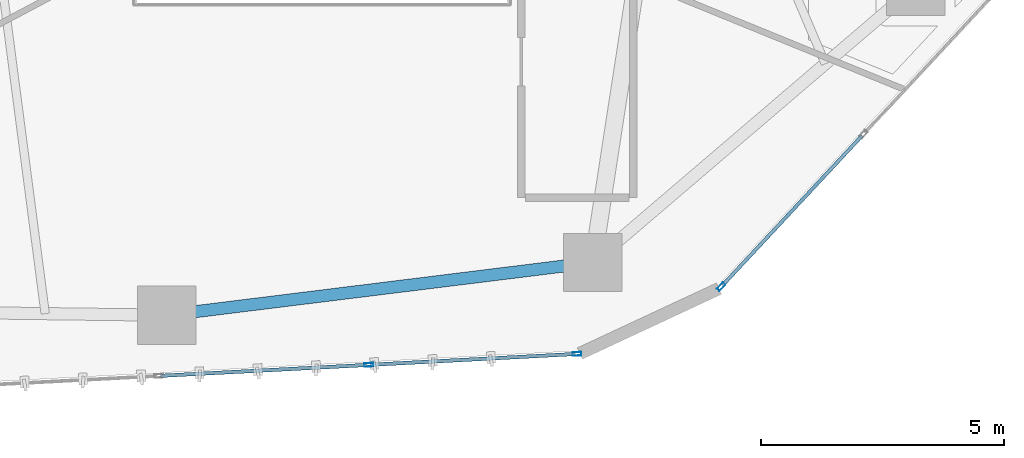
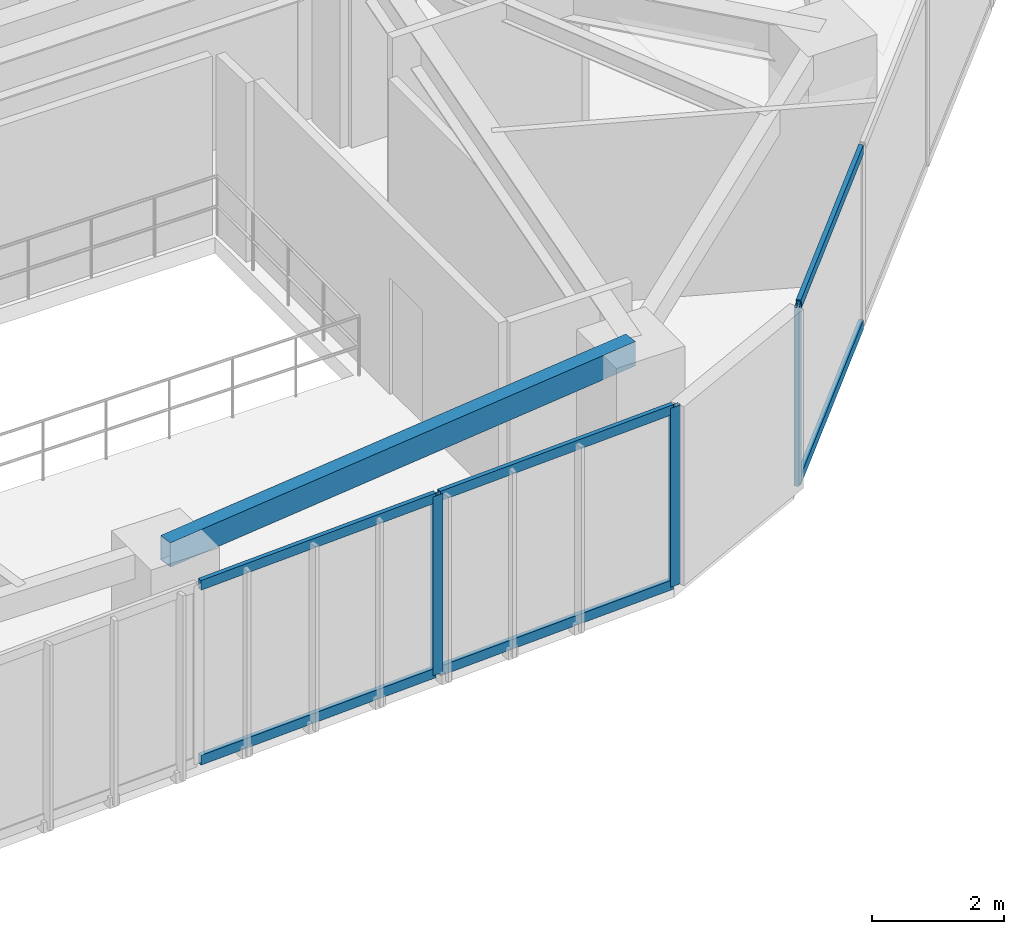
# One storey, part 6 of 23: 9 members, 1 beam, 2 elements without a shape of their own.
"""IFC4 building model written with IfcOpenShell, lengths in metres."""

from ifc_helpers import new_model, si_unit, direction, frame, origin, origin_2d, place, context, subcontext, project, spatial, hollow_rectangle, extrude, source, transform, mapped, material, layer, layer_set, material_profile, profile_set, type_object, type_shapes, element, aggregate, save


model = new_model("IFC4")

# Units and contexts
model_context = context("Model", 3, precision=1e-05, world=origin(), true_north=direction((0.0, 1.0)))
body_context = subcontext(model_context, "Body", "Model", "MODEL_VIEW")
ifc_project = project(units=[si_unit("LENGTHUNIT", "METRE"), si_unit("AREAUNIT", "SQUARE_METRE"), si_unit("VOLUMEUNIT", "CUBIC_METRE"), si_unit("PLANEANGLEUNIT", "RADIAN"), si_unit("MASSUNIT", "GRAM", prefix="KILO")], contexts=[model_context])

# Site, building, storey
site_placement = place(None, origin())
site = spatial("IfcSite", under=ifc_project, at=site_placement, CompositionType="ELEMENT")
building_placement = place(site_placement, origin())
building = spatial("IfcBuilding", under=site, at=building_placement, Name="Talar Marvaseh", CompositionType="ELEMENT")
storey_placement = place(building_placement, frame((0.0, 0.0, 100.199951171875)))
storey = spatial("IfcBuildingStorey", under=building, at=storey_placement, Name="L25", CompositionType="ELEMENT", Elevation=100.199951171875)

# Beam
ifc_material_1 = material(Name="Steel S355", Category="steel")
ifc_material_profile_1 = material_profile(ifc_material_1, hollow_rectangle(XDim=0.25, YDim=0.449951171875, WallThickness=0.01611328125, at=origin_2d()), Name="RHS450x250x16")
ifc_profile_set_1 = profile_set([ifc_material_profile_1], Name="Steel S355")
beam_type = type_object("IfcBeamType", Name="Zone 2 Perimeter Spandrel Beam RHS450x250x16", PredefinedType="SPANDREL", material=ifc_profile_set_1)
beam_placement = place(storey_placement, frame((31.570068359375, 14.26806640625, 3.0849609375), z_axis=(-0.992426007218, -0.122843885468, 0.0), x_axis=(0.122843885468, -0.992426007218, 0.0)))
element("IfcBeam", 1, at=beam_placement, inside=storey, type_object=beam_type, Name="L25 Zone 2 Perimeter Spandrel Beam RHS450x250x16", PredefinedType="SPANDREL", context=body_context, shape_type="SweptSolid", body=[
    extrude(hollow_rectangle(XDim=0.25, YDim=0.449951171875, WallThickness=0.01611328125, at=origin_2d()), origin(), (0.0, 0.0, 1.0), 8.83203125),
])

# Curtain wall, member
ifc_material_2 = material(Name="Architectural Aluminium", Category="aluminium")
ifc_layer = layer(ifc_material_2, 0.199951171875)
ifc_layer_set = layer_set([ifc_layer], Name="Architectural Aluminium")
curtain_wall_type = type_object("IfcCurtainWallType", Name="Unitised Acoustic Library Curtain Wall Z2", PredefinedType="NOTDEFINED", material=ifc_layer_set)
curtain_wall_1_placement = place(storey_placement, origin())
curtain_wall_1 = element("IfcCurtainWall", 2, at=curtain_wall_1_placement, inside=storey, type_object=curtain_wall_type, Name="L25 Unitised Acoustic Library Curtain Wall Z2", PredefinedType="NOTDEFINED")
ifc_material_profile_2 = material_profile(ifc_material_2, hollow_rectangle(XDim=0.074951171875, YDim=0.179931640625, WallThickness=0.0048828125, at=origin_2d()), Name="RHS180x75x5")
ifc_profile_set_2 = profile_set([ifc_material_profile_2], Name="Architectural Aluminium")
member_type_1 = type_object("IfcMemberType", Name="Unitised Curtain Wall Standard Mullion RHS180x75x5", PredefinedType="MULLION", material=ifc_profile_set_2)
shared_shape_1 = source(origin(), body_context, "Body", "SweptSolid", [
    extrude(hollow_rectangle(XDim=0.074951171875, YDim=0.179931640625, WallThickness=0.0048828125, at=origin_2d()), origin(), (0.0, 0.0, 1.0), 3.31005859375),
])
type_shapes(member_type_1, [shared_shape_1])
member_1_placement = place(storey_placement, frame((34.20654296875, 13.76953125, 0.0), z_axis=(0.0, 0.0, 1.0), x_axis=(0.731249985711, -0.682109564805, 0.0)))
member_1 = element("IfcMember", 3, at=member_1_placement, type_object=member_type_1, Name="CW-Z2 mullion 6", PredefinedType="MULLION", context=body_context, shape_type="MappedRepresentation", body=[
    mapped(shared_shape_1, transform((0.0, 0.0, 0.0), x_axis=(1.0, 0.0, 0.0), y_axis=(0.0, 1.0, 0.0), z_axis=(0.0, 0.0, 1.0), scale=1.0)),
])

# Curtain wall, members
curtain_wall_2_placement = place(storey_placement, origin())
curtain_wall_2 = element("IfcCurtainWall", 4, at=curtain_wall_2_placement, inside=storey, type_object=curtain_wall_type, Name="L25 Unitised Acoustic Library Curtain Wall Z2", PredefinedType="NOTDEFINED")
member_2_placement = place(storey_placement, frame((31.2431640625, 12.3876953125, 0.0), z_axis=(0.0, 0.0, 1.0), x_axis=(0.052489394294, -0.998621481587, 0.0)))
member_2 = element("IfcMember", 5, at=member_2_placement, type_object=member_type_1, Name="CW-Z2 mullion 1", PredefinedType="MULLION", context=body_context, shape_type="MappedRepresentation", body=[
    mapped(shared_shape_1, transform((0.0, 0.0, 0.0), x_axis=(1.0, 0.0, 0.0), y_axis=(0.0, 1.0, 0.0), z_axis=(0.0, 0.0, 1.0), scale=1.0)),
])
member_3_placement = place(storey_placement, frame((26.962890625, 12.162841796875, 0.0), z_axis=(0.0, 0.0, 1.0), x_axis=(0.052489394294, -0.998621481587, 0.0)))
member_3 = element("IfcMember", 6, at=member_3_placement, type_object=member_type_1, Name="CW-Z2 mullion 2", PredefinedType="MULLION", context=body_context, shape_type="MappedRepresentation", body=[
    mapped(shared_shape_1, transform((0.0, 0.0, 0.0), x_axis=(1.0, 0.0, 0.0), y_axis=(0.0, 1.0, 0.0), z_axis=(0.0, 0.0, 1.0), scale=1.0)),
])
ifc_material_profile_3 = material_profile(ifc_material_2, hollow_rectangle(XDim=0.074951171875, YDim=0.179931640625, WallThickness=0.0048828125, at=origin_2d()), Name="RHS180x75x5")
ifc_profile_set_3 = profile_set([ifc_material_profile_3], Name="Architectural Aluminium")
member_type_2 = type_object("IfcMemberType", Name="Unitised Curtain Wall Transom RHS180x75x5", PredefinedType="USERDEFINED", material=ifc_profile_set_3)
shared_shape_2 = source(origin(), body_context, "Body", "SweptSolid", [
    extrude(hollow_rectangle(XDim=0.074951171875, YDim=0.179931640625, WallThickness=0.0048828125, at=origin_2d()), origin(), (0.0, 0.0, 1.0), 4.24853515625),
])
member_4_placement = place(storey_placement, frame((26.925537109375, 12.160888671875, 0.03759765625), z_axis=(-0.99861973358, -0.052522639918, 0.0), x_axis=(0.052522639918, -0.99861973358, 0.0)))
member_4 = element("IfcMember", 7, at=member_4_placement, type_object=member_type_2, Name="CW-Z2 transom 2.1", ObjectType="TRANSOM", PredefinedType="USERDEFINED", context=body_context, shape_type="MappedRepresentation", body=[
    mapped(shared_shape_2, transform((0.0, 0.0, 0.0), x_axis=(1.0, 0.0, 0.0), y_axis=(0.0, 1.0, 0.0), z_axis=(0.0, 0.0, 1.0), scale=1.0)),
])
member_5_placement = place(storey_placement, frame((26.925537109375, 12.160888671875, 3.2724609375), z_axis=(-0.99861973358, -0.052522639918, 0.0), x_axis=(0.052522639918, -0.99861973358, 0.0)))
member_5 = element("IfcMember", 8, at=member_5_placement, type_object=member_type_2, Name="CW-Z2 transom 2.2", ObjectType="TRANSOM", PredefinedType="USERDEFINED", context=body_context, shape_type="MappedRepresentation", body=[
    mapped(shared_shape_2, transform((0.0, 0.0, 0.0), x_axis=(1.0, 0.0, 0.0), y_axis=(0.0, 1.0, 0.0), z_axis=(0.0, 0.0, 1.0), scale=1.0)),
])

# Member
shared_shape_3 = source(origin(), body_context, "Body", "SweptSolid", [
    extrude(hollow_rectangle(XDim=0.074951171875, YDim=0.179931640625, WallThickness=0.0048828125, at=origin_2d()), origin(), (0.0, 0.0, 1.0), 4.2109375),
])
type_shapes(member_type_2, [shared_shape_2, shared_shape_3])
member_6_placement = place(storey_placement, frame((37.1044921875, 16.87646484375, 0.03759765625), z_axis=(-0.682097191187, -0.731261527619, 0.0), x_axis=(0.731261527619, -0.682097191187, 0.0)))
member_6 = element("IfcMember", 9, at=member_6_placement, type_object=member_type_2, Name="CW-Z2 transom 5.1", ObjectType="TRANSOM", PredefinedType="USERDEFINED", context=body_context, shape_type="MappedRepresentation", body=[
    mapped(shared_shape_3, transform((0.0, 0.0, 0.0), x_axis=(1.0, 0.0, 0.0), y_axis=(0.0, 1.0, 0.0), z_axis=(0.0, 0.0, 1.0), scale=1.0)),
])

member_7_placement = place(storey_placement, frame((37.1044921875, 16.87646484375, 3.2724609375), z_axis=(-0.682097191187, -0.731261527619, 0.0), x_axis=(0.731261527619, -0.682097191187, 0.0)))
member_7 = element("IfcMember", 10, at=member_7_placement, type_object=member_type_2, Name="CW-Z2 transom 5.2", ObjectType="TRANSOM", PredefinedType="USERDEFINED", context=body_context, shape_type="MappedRepresentation", body=[
    mapped(shared_shape_3, transform((0.0, 0.0, 0.0), x_axis=(1.0, 0.0, 0.0), y_axis=(0.0, 1.0, 0.0), z_axis=(0.0, 0.0, 1.0), scale=1.0)),
])

aggregate(curtain_wall_1, [member_1, member_6, member_7])

member_8_placement = place(storey_placement, frame((31.20556640625, 12.3857421875, 0.03759765625), z_axis=(-0.998622470123, -0.052470583805, 0.0), x_axis=(0.052470583805, -0.998622470123, 0.0)))
member_8 = element("IfcMember", 11, at=member_8_placement, type_object=member_type_2, Name="CW-Z2 transom 1.1", ObjectType="TRANSOM", PredefinedType="USERDEFINED", context=body_context, shape_type="MappedRepresentation", body=[
    mapped(shared_shape_3, transform((0.0, 0.0, 0.0), x_axis=(1.0, 0.0, 0.0), y_axis=(0.0, 1.0, 0.0), z_axis=(0.0, 0.0, 1.0), scale=1.0)),
])

member_9_placement = place(storey_placement, frame((31.20556640625, 12.3857421875, 3.2724609375), z_axis=(-0.998622470123, -0.052470583805, 0.0), x_axis=(0.052470583805, -0.998622470123, 0.0)))
member_9 = element("IfcMember", 12, at=member_9_placement, type_object=member_type_2, Name="CW-Z2 transom 1.2", ObjectType="TRANSOM", PredefinedType="USERDEFINED", context=body_context, shape_type="MappedRepresentation", body=[
    mapped(shared_shape_3, transform((0.0, 0.0, 0.0), x_axis=(1.0, 0.0, 0.0), y_axis=(0.0, 1.0, 0.0), z_axis=(0.0, 0.0, 1.0), scale=1.0)),
])

aggregate(curtain_wall_2, [member_2, member_3, member_8, member_9, member_4, member_5])

save(model, "model.ifc")
